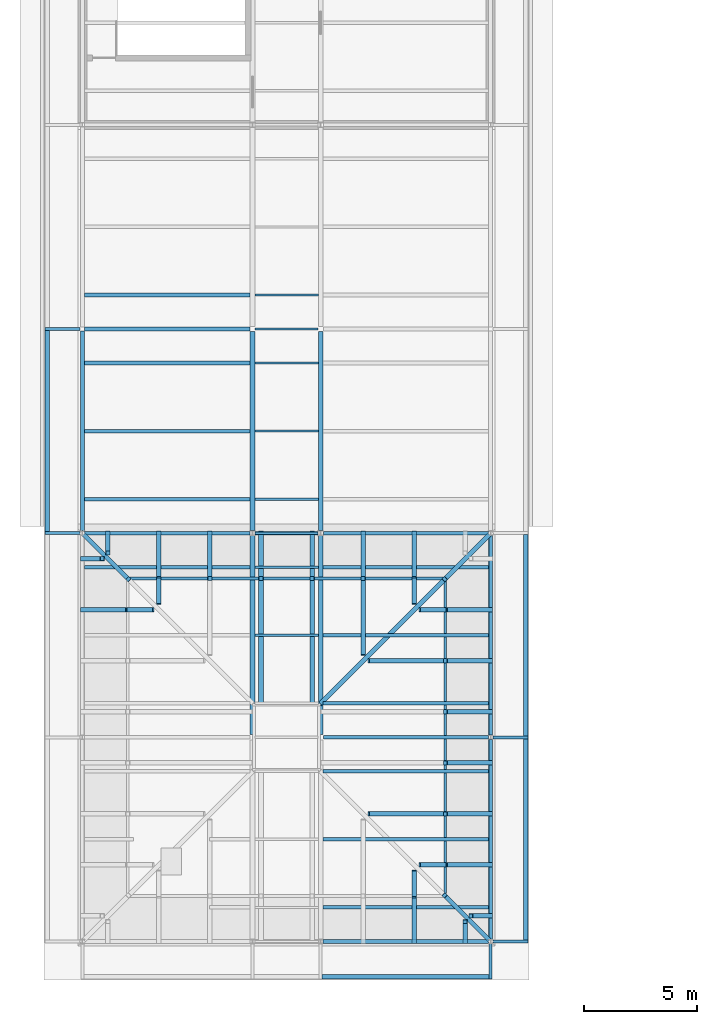
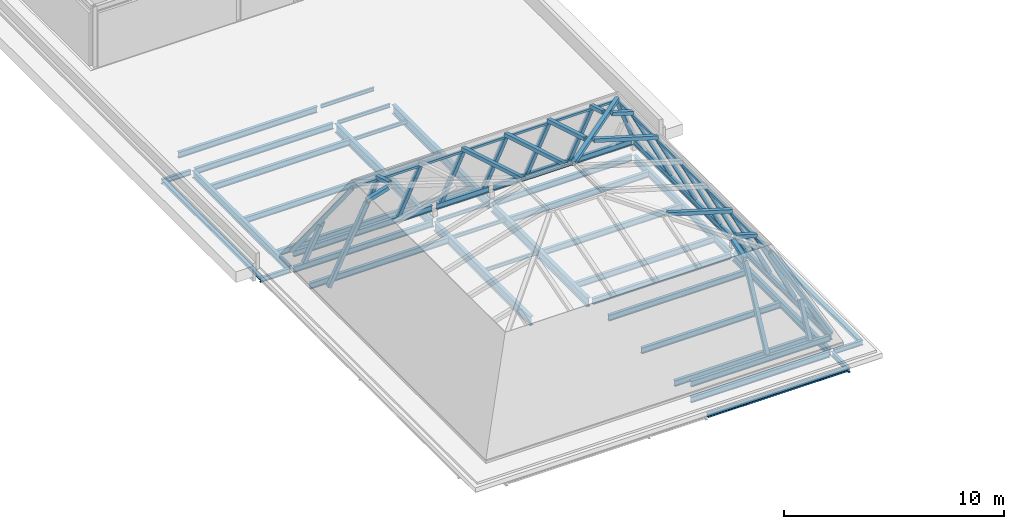
# One storey, part 6 of 29: 46 beams, 35 members.
"""IFC4 building model written with IfcOpenShell, lengths in metres."""

from ifc_helpers import new_model, si_unit, direction, frame, origin, origin_2d, place, context, subcontext, project, spatial, hollow_rectangle, i_section, extrude, material, material_profile, profile_set, type_object, element, save


model = new_model("IFC4")

# Units and contexts
model_context = context("Model", 3, precision=1e-05, world=origin(), true_north=direction((0.0, 1.0)))
body_context = subcontext(model_context, "Body", "Model", "MODEL_VIEW")
ifc_project = project(units=[si_unit("LENGTHUNIT", "METRE"), si_unit("AREAUNIT", "SQUARE_METRE"), si_unit("VOLUMEUNIT", "CUBIC_METRE"), si_unit("PLANEANGLEUNIT", "RADIAN"), si_unit("MASSUNIT", "GRAM", prefix="KILO")], contexts=[model_context])

# Site, building, storey
site_placement = place(None, origin())
site = spatial("IfcSite", under=ifc_project, at=site_placement, CompositionType="ELEMENT")
building_placement = place(site_placement, origin())
building = spatial("IfcBuilding", under=site, at=building_placement, Name="Golden Quay Civic Hall", CompositionType="ELEMENT")
storey_placement = place(building_placement, frame((0.0, 0.0, 27.0)))
storey = spatial("IfcBuildingStorey", under=building, at=storey_placement, Name="L06", CompositionType="ELEMENT", Elevation=27.0)

# Beams
ifc_material_1 = material(Name="Steel S355", Category="steel")
ifc_material_profile_1 = material_profile(ifc_material_1, i_section(OverallWidth=0.199951171875, OverallDepth=0.18994140625, WebThickness=0.006591796875, FlangeThickness=0.010009765625, FilletRadius=0.01806640625, at=origin_2d()), Name="HEA 200")
ifc_profile_set_1 = profile_set([ifc_material_profile_1], Name="Steel S355")
beam_type_1 = type_object("IfcBeamType", Name="Eave edge beam HEA 200", PredefinedType="BEAM", material=ifc_profile_set_1)
for number, where, z_axis, x_axis, name in (
    (1, (-1.550048828125, 9.0673828125, -0.344970703125), (0.0, 1.0, 0.0), (-1.0, 0.0, 0.0), "Eave edge beam HEA 200 L06 3"),
    (2, (19.550048828125, -8.9326171875, -0.344970703125), (0.0, 1.0, 0.0), (-1.0, 0.0, 0.0), "Eave edge beam HEA 200 L06 15"),
    (3, (19.550048828125, 0.0673828125, -0.344970703125), (0.0, 1.0, 0.0), (-1.0, 0.0, 0.0), "Eave edge beam HEA 200 L06 16"),
):
    element("IfcBeam", number, at=place(storey_placement, frame(where, z_axis=z_axis, x_axis=x_axis)), inside=storey, type_object=beam_type_1, Name=name, PredefinedType="BEAM", context=body_context, shape_type="SweptSolid", body=[
        extrude(i_section(OverallWidth=0.199951171875, OverallDepth=0.18994140625, WebThickness=0.006591796875, FlangeThickness=0.010009765625, FilletRadius=0.01806640625, at=origin_2d()), origin(), (0.0, 0.0, 1.0), 8.865234375),
    ])
beam_1_placement = place(storey_placement, frame((10.5673828125, -10.550048828125, -0.344970703125), z_axis=(1.0, 0.0, 0.0), x_axis=(0.0, 1.0, 0.0)))
element("IfcBeam", 4, at=beam_1_placement, inside=storey, type_object=beam_type_1, Name="Eave edge beam HEA 200 L06 28", PredefinedType="BEAM", context=body_context, shape_type="SweptSolid", body=[
    extrude(i_section(OverallWidth=0.199951171875, OverallDepth=0.18994140625, WebThickness=0.006591796875, FlangeThickness=0.010009765625, FilletRadius=0.01806640625, at=origin_2d()), origin(), (0.0, 0.0, 1.0), 7.365234375),
])
ifc_material_2 = material(Name="Steel S355", Category="steel")
ifc_material_profile_2 = material_profile(ifc_material_2, i_section(OverallWidth=0.135009765625, OverallDepth=0.27001953125, WebThickness=0.006591796875, FlangeThickness=0.01025390625, FilletRadius=0.014892578125, at=origin_2d()), Name="IPE 270")
ifc_profile_set_2 = profile_set([ifc_material_profile_2], Name="Steel S355")
beam_type_2 = type_object("IfcBeamType", Name="Eave stub IPE 270", PredefinedType="BEAM", material=ifc_profile_set_2)
for number, where, z_axis, x_axis, name in (
    (5, (-0.10009765625, 9.0, -0.385009765625), (-1.0, 0.0, 0.0), (0.0, -1.0, 0.0), "Eave stub IPE 270 L06 3"),
    (6, (-0.10009765625, 18.0, -0.385009765625), (-1.0, 0.0, 0.0), (0.0, -1.0, 0.0), "Eave stub IPE 270 L06 4"),
    (7, (18.10009765625, -9.0, -0.385009765625), (1.0, 0.0, 0.0), (0.0, 1.0, 0.0), "Eave stub IPE 270 L06 17"),
    (8, (18.10009765625, 0.0, -0.385009765625), (1.0, 0.0, 0.0), (0.0, 1.0, 0.0), "Eave stub IPE 270 L06 18"),
):
    element("IfcBeam", number, at=place(storey_placement, frame(where, z_axis=z_axis, x_axis=x_axis)), inside=storey, type_object=beam_type_2, Name=name, PredefinedType="BEAM", context=body_context, shape_type="SweptSolid", body=[
        extrude(i_section(OverallWidth=0.135009765625, OverallDepth=0.27001953125, WebThickness=0.006591796875, FlangeThickness=0.01025390625, FilletRadius=0.014892578125, at=origin_2d()), origin(), (0.0, 0.0, 1.0), 1.5498046875),
    ])
beam_2_placement = place(storey_placement, frame((18.0, -9.094970703125, -0.385009765625), z_axis=(0.0, -1.0, 0.0), x_axis=(1.0, 0.0, 0.0)))
element("IfcBeam", 9, at=beam_2_placement, inside=storey, type_object=beam_type_2, Name="Eave stub IPE 270 L06 32", PredefinedType="BEAM", context=body_context, shape_type="SweptSolid", body=[
    extrude(i_section(OverallWidth=0.135009765625, OverallDepth=0.27001953125, WebThickness=0.006591796875, FlangeThickness=0.01025390625, FilletRadius=0.014892578125, at=origin_2d()), origin(), (0.0, 0.0, 1.0), 1.554931640625),
])
ifc_material_3 = material(Name="Steel S355", Category="steel")
ifc_material_profile_3 = material_profile(ifc_material_3, i_section(OverallWidth=0.10009765625, OverallDepth=0.199951171875, WebThickness=0.005615234375, FlangeThickness=0.008544921875, FilletRadius=0.011962890625, at=origin_2d()), Name="IPE 200")
ifc_profile_set_3 = profile_set([ifc_material_profile_3], Name="Steel S355")
beam_type_3 = type_object("IfcBeamType", Name="Steel beam IPE 200", PredefinedType="BEAM", material=ifc_profile_set_3)
for number, where, z_axis, x_axis, name in (
    (10, (7.6201171875, 9.0, -0.35009765625), (1.0, 0.0, 0.0), (0.0, 1.0, 0.0), "Beam S9-7.5"),
    (11, (7.6201171875, 18.0, -0.35009765625), (1.0, 0.0, 0.0), (0.0, 1.0, 0.0), "Beam S18-7.5"),
):
    element("IfcBeam", number, at=place(storey_placement, frame(where, z_axis=z_axis, x_axis=x_axis)), inside=storey, type_object=beam_type_3, Name=name, PredefinedType="BEAM", context=body_context, shape_type="SweptSolid", body=[
        extrude(i_section(OverallWidth=0.10009765625, OverallDepth=0.199951171875, WebThickness=0.005615234375, FlangeThickness=0.008544921875, FilletRadius=0.011962890625, at=origin_2d()), origin(), (0.0, 0.0, 1.0), 2.759765625),
    ])
ifc_material_4 = material(Name="Steel S355", Category="steel")
ifc_material_profile_4 = material_profile(ifc_material_4, i_section(OverallWidth=0.159912109375, OverallDepth=0.330078125, WebThickness=0.007568359375, FlangeThickness=0.011474609375, FilletRadius=0.01806640625, at=origin_2d()), Name="IPE 330")
ifc_profile_set_4 = profile_set([ifc_material_profile_4], Name="Steel S355")
beam_type_4 = type_object("IfcBeamType", Name="Steel beam IPE 330", PredefinedType="BEAM", material=ifc_profile_set_4)
beam_3_placement = place(storey_placement, frame((10.60009765625, -9.0, -0.4150390625), z_axis=(1.0, 0.0, 0.0), x_axis=(0.0, 1.0, 0.0)))
element("IfcBeam", 12, at=beam_3_placement, inside=storey, type_object=beam_type_4, Name="Beam S-9-10.5", PredefinedType="BEAM", context=body_context, shape_type="SweptSolid", body=[
    extrude(i_section(OverallWidth=0.159912109375, OverallDepth=0.330078125, WebThickness=0.007568359375, FlangeThickness=0.011474609375, FilletRadius=0.01806640625, at=origin_2d()), origin(), (0.0, 0.0, 1.0), 7.2998046875),
])
for number, where, z_axis, x_axis, name in (
    (13, (10.6201171875, 0.0, -0.4150390625), (1.0, 0.0, 0.0), (0.0, 1.0, 0.0), "Beam S0-10.5"),
    (14, (0.10009765625, 9.0, -0.4150390625), (1.0, 0.0, 0.0), (0.0, 1.0, 0.0), "Beam S9-0"),
    (15, (10.6201171875, 9.0, -0.4150390625), (1.0, 0.0, 0.0), (0.0, 1.0, 0.0), "Beam S9-10.5"),
    (16, (0.10009765625, 18.0, -0.4150390625), (1.0, 0.0, 0.0), (0.0, 1.0, 0.0), "Beam S18-0"),
):
    element("IfcBeam", number, at=place(storey_placement, frame(where, z_axis=z_axis, x_axis=x_axis)), inside=storey, type_object=beam_type_4, Name=name, PredefinedType="BEAM", context=body_context, shape_type="SweptSolid", body=[
        extrude(i_section(OverallWidth=0.159912109375, OverallDepth=0.330078125, WebThickness=0.007568359375, FlangeThickness=0.011474609375, FilletRadius=0.01806640625, at=origin_2d()), origin(), (0.0, 0.0, 1.0), 7.27978515625),
    ])
ifc_material_5 = material(Name="Steel S355", Category="steel")
ifc_material_profile_5 = material_profile(ifc_material_5, i_section(OverallWidth=0.179931640625, OverallDepth=0.39990234375, WebThickness=0.008544921875, FlangeThickness=0.013427734375, FilletRadius=0.02099609375, at=origin_2d()), Name="IPE 400")
ifc_profile_set_5 = profile_set([ifc_material_profile_5], Name="Steel S355")
beam_type_5 = type_object("IfcBeamType", Name="Steel beam IPE 400", PredefinedType="BEAM", material=ifc_profile_set_5)
for number, where, z_axis, x_axis, name in (
    (17, (0.0, 9.094970703125, -0.449951171875), (0.0, 1.0, 0.0), (-1.0, 0.0, 0.0), "Beam L0-9"),
    (18, (18.0, -8.905029296875, -0.449951171875), (0.0, 1.0, 0.0), (-1.0, 0.0, 0.0), "Beam L18--9"),
    (19, (18.0, 0.094970703125, -0.449951171875), (0.0, 1.0, 0.0), (-1.0, 0.0, 0.0), "Beam L18-0"),
):
    element("IfcBeam", number, at=place(storey_placement, frame(where, z_axis=z_axis, x_axis=x_axis)), inside=storey, type_object=beam_type_5, Name=name, PredefinedType="BEAM", context=body_context, shape_type="SweptSolid", body=[
        extrude(i_section(OverallWidth=0.179931640625, OverallDepth=0.39990234375, WebThickness=0.008544921875, FlangeThickness=0.013427734375, FilletRadius=0.02099609375, at=origin_2d()), origin(), (0.0, 0.0, 1.0), 8.81005859375),
    ])
ifc_material_6 = material(Name="Steel S355", Category="steel")
ifc_material_profile_6 = material_profile(ifc_material_6, i_section(OverallWidth=0.199951171875, OverallDepth=0.5, WebThickness=0.01025390625, FlangeThickness=0.01611328125, FilletRadius=0.02099609375, at=origin_2d()), Name="IPE 500")
ifc_profile_set_6 = profile_set([ifc_material_profile_6], Name="Steel S355")
beam_type_6 = type_object("IfcBeamType", Name="Steel beam IPE 500", PredefinedType="BEAM", material=ifc_profile_set_6)
for number, where, z_axis, x_axis, name in (
    (20, (7.5, 0.114990234375, -0.5), (0.0, 1.0, 0.0), (-1.0, 0.0, 0.0), "Beam L7.5-0"),
    (21, (7.5, 9.114990234375, -0.5), (0.0, 1.0, 0.0), (-1.0, 0.0, 0.0), "Beam L7.5-9"),
    (22, (10.5, 0.114990234375, -0.5), (0.0, 1.0, 0.0), (-1.0, 0.0, 0.0), "Beam L10.5-0"),
    (23, (10.5, 9.114990234375, -0.5), (0.0, 1.0, 0.0), (-1.0, 0.0, 0.0), "Beam L10.5-9"),
):
    element("IfcBeam", number, at=place(storey_placement, frame(where, z_axis=z_axis, x_axis=x_axis)), inside=storey, type_object=beam_type_6, Name=name, PredefinedType="BEAM", context=body_context, shape_type="SweptSolid", body=[
        extrude(i_section(OverallWidth=0.199951171875, OverallDepth=0.5, WebThickness=0.01025390625, FlangeThickness=0.01611328125, FilletRadius=0.02099609375, at=origin_2d()), origin(), (0.0, 0.0, 1.0), 8.77001953125),
    ])

# Members
ifc_material_7 = material(Name="Steel S355", Category="steel")
ifc_material_profile_7 = material_profile(ifc_material_7, hollow_rectangle(XDim=0.199951171875, YDim=0.199951171875, WallThickness=0.010009765625, at=origin_2d()), Name="SHS 200x200x10")
ifc_profile_set_7 = profile_set([ifc_material_profile_7], Name="Steel S355")
member_type_1 = type_object("IfcMemberType", Name="Steel jack rafter SHS 200x200x10", PredefinedType="RAFTER", material=ifc_profile_set_7)
member_1_placement = place(storey_placement, frame((14.625, -9.0, 0.6748046875), z_axis=(0.0, 0.4472135955, 0.894427191), x_axis=(-1.0, 0.0, 0.0)))
element("IfcMember", 24, at=member_1_placement, inside=storey, type_object=member_type_1, Name="Jack rafter WO-S south 7", PredefinedType="RAFTER", context=body_context, shape_type="SweptSolid", body=[
    extrude(hollow_rectangle(XDim=0.199951171875, YDim=0.199951171875, WallThickness=0.010009765625, at=origin_2d()), origin(), (0.0, 0.0, 1.0), 4.47216796875),
])
member_2_placement = place(storey_placement, frame((14.625, -7.0, 4.7939453125), z_axis=(0.0, 0.957849166577, 0.287271603344), x_axis=(-1.0, 0.0, 0.0)))
element("IfcMember", 25, at=member_2_placement, inside=storey, type_object=member_type_1, Name="Jack rafter WO-S south 7 upper", PredefinedType="RAFTER", context=body_context, shape_type="SweptSolid", body=[
    extrude(hollow_rectangle(XDim=0.199951171875, YDim=0.199951171875, WallThickness=0.010009765625, at=origin_2d()), origin(), (0.0, 0.0, 1.0), 1.174560546875),
])
for number, where, z_axis, x_axis, name in (
    (26, (16.875, -9.0, 0.6748046875), (0.0, 0.4472135955, 0.894427191), (-1.0, 0.0, 0.0), "Jack rafter WO-S south 8"),
    (27, (1.125, 9.0, 0.6748046875), (0.0, -0.4472135955, 0.894427191), (1.0, 0.0, 0.0), "Jack rafter WO-S north 1"),
):
    element("IfcMember", number, at=place(storey_placement, frame(where, z_axis=z_axis, x_axis=x_axis)), inside=storey, type_object=member_type_1, Name=name, PredefinedType="RAFTER", context=body_context, shape_type="SweptSolid", body=[
        extrude(hollow_rectangle(XDim=0.199951171875, YDim=0.199951171875, WallThickness=0.010009765625, at=origin_2d()), origin(), (0.0, 0.0, 1.0), 1.95654296875),
    ])
member_3_placement = place(storey_placement, frame((3.375, 9.0, 0.6748046875), z_axis=(0.0, -0.4472135955, 0.894427191), x_axis=(1.0, 0.0, 0.0)))
element("IfcMember", 28, at=member_3_placement, inside=storey, type_object=member_type_1, Name="Jack rafter WO-S north 2", PredefinedType="RAFTER", context=body_context, shape_type="SweptSolid", body=[
    extrude(hollow_rectangle(XDim=0.199951171875, YDim=0.199951171875, WallThickness=0.010009765625, at=origin_2d()), origin(), (0.0, 0.0, 1.0), 4.47216796875),
])
member_4_placement = place(storey_placement, frame((3.375, 7.0, 4.7939453125), z_axis=(0.0, -0.957849166577, 0.287271603344), x_axis=(1.0, 0.0, 0.0)))
element("IfcMember", 29, at=member_4_placement, inside=storey, type_object=member_type_1, Name="Jack rafter WO-S north 2 upper", PredefinedType="RAFTER", context=body_context, shape_type="SweptSolid", body=[
    extrude(hollow_rectangle(XDim=0.199951171875, YDim=0.199951171875, WallThickness=0.010009765625, at=origin_2d()), origin(), (0.0, 0.0, 1.0), 1.174560546875),
])
for number, where, z_axis, x_axis, name in (
    (30, (5.625, 9.0, 0.6748046875), (0.0, -0.4472135955, 0.894427191), (1.0, 0.0, 0.0), "Jack rafter WO-S north 3"),
    (31, (7.875, 9.0, 0.6748046875), (0.0, -0.4472135955, 0.894427191), (1.0, 0.0, 0.0), "Jack rafter WO-S north 4"),
):
    element("IfcMember", number, at=place(storey_placement, frame(where, z_axis=z_axis, x_axis=x_axis)), inside=storey, type_object=member_type_1, Name=name, PredefinedType="RAFTER", context=body_context, shape_type="SweptSolid", body=[
        extrude(hollow_rectangle(XDim=0.199951171875, YDim=0.199951171875, WallThickness=0.010009765625, at=origin_2d()), origin(), (0.0, 0.0, 1.0), 4.47216796875),
    ])
member_5_placement = place(storey_placement, frame((7.875, 7.0, 4.7939453125), z_axis=(0.0, -0.957830965904, 0.287332282829), x_axis=(1.0, 0.0, 0.0)))
element("IfcMember", 32, at=member_5_placement, inside=storey, type_object=member_type_1, Name="Jack rafter WO-S north 4 upper", PredefinedType="RAFTER", context=body_context, shape_type="SweptSolid", body=[
    extrude(hollow_rectangle(XDim=0.199951171875, YDim=0.199951171875, WallThickness=0.010009765625, at=origin_2d()), origin(), (0.0, 0.0, 1.0), 5.7421875),
])
member_6_placement = place(storey_placement, frame((10.125, 9.0, 0.6748046875), z_axis=(0.0, -0.4472135955, 0.894427191), x_axis=(1.0, 0.0, 0.0)))
element("IfcMember", 33, at=member_6_placement, inside=storey, type_object=member_type_1, Name="Jack rafter WO-S north 5", PredefinedType="RAFTER", context=body_context, shape_type="SweptSolid", body=[
    extrude(hollow_rectangle(XDim=0.199951171875, YDim=0.199951171875, WallThickness=0.010009765625, at=origin_2d()), origin(), (0.0, 0.0, 1.0), 4.47216796875),
])
member_7_placement = place(storey_placement, frame((10.125, 7.0, 4.7939453125), z_axis=(0.0, -0.957830965904, 0.287332282829), x_axis=(1.0, 0.0, 0.0)))
element("IfcMember", 34, at=member_7_placement, inside=storey, type_object=member_type_1, Name="Jack rafter WO-S north 5 upper", PredefinedType="RAFTER", context=body_context, shape_type="SweptSolid", body=[
    extrude(hollow_rectangle(XDim=0.199951171875, YDim=0.199951171875, WallThickness=0.010009765625, at=origin_2d()), origin(), (0.0, 0.0, 1.0), 5.7421875),
])
member_8_placement = place(storey_placement, frame((12.375, 9.0, 0.6748046875), z_axis=(0.0, -0.4472135955, 0.894427191), x_axis=(1.0, 0.0, 0.0)))
element("IfcMember", 35, at=member_8_placement, inside=storey, type_object=member_type_1, Name="Jack rafter WO-S north 6", PredefinedType="RAFTER", context=body_context, shape_type="SweptSolid", body=[
    extrude(hollow_rectangle(XDim=0.199951171875, YDim=0.199951171875, WallThickness=0.010009765625, at=origin_2d()), origin(), (0.0, 0.0, 1.0), 4.47216796875),
])
member_9_placement = place(storey_placement, frame((12.375, 7.0, 4.7939453125), z_axis=(0.0, -0.957830099126, 0.287335172242), x_axis=(1.0, 0.0, 0.0)))
element("IfcMember", 36, at=member_9_placement, inside=storey, type_object=member_type_1, Name="Jack rafter WO-S north 6 upper", PredefinedType="RAFTER", context=body_context, shape_type="SweptSolid", body=[
    extrude(hollow_rectangle(XDim=0.199951171875, YDim=0.199951171875, WallThickness=0.010009765625, at=origin_2d()), origin(), (0.0, 0.0, 1.0), 3.523681640625),
])
member_10_placement = place(storey_placement, frame((14.625, 9.0, 0.6748046875), z_axis=(0.0, -0.4472135955, 0.894427191), x_axis=(1.0, 0.0, 0.0)))
element("IfcMember", 37, at=member_10_placement, inside=storey, type_object=member_type_1, Name="Jack rafter WO-S north 7", PredefinedType="RAFTER", context=body_context, shape_type="SweptSolid", body=[
    extrude(hollow_rectangle(XDim=0.199951171875, YDim=0.199951171875, WallThickness=0.010009765625, at=origin_2d()), origin(), (0.0, 0.0, 1.0), 4.47216796875),
])
member_11_placement = place(storey_placement, frame((14.625, 7.0, 4.7939453125), z_axis=(0.0, -0.957849166577, 0.287271603344), x_axis=(1.0, 0.0, 0.0)))
element("IfcMember", 38, at=member_11_placement, inside=storey, type_object=member_type_1, Name="Jack rafter WO-S north 7 upper", PredefinedType="RAFTER", context=body_context, shape_type="SweptSolid", body=[
    extrude(hollow_rectangle(XDim=0.199951171875, YDim=0.199951171875, WallThickness=0.010009765625, at=origin_2d()), origin(), (0.0, 0.0, 1.0), 1.174560546875),
])
member_12_placement = place(storey_placement, frame((0.0, 5.625, 0.6748046875), z_axis=(0.4472135955, 0.0, 0.894427191), x_axis=(0.0, 1.0, 0.0)))
element("IfcMember", 39, at=member_12_placement, inside=storey, type_object=member_type_1, Name="Jack rafter WO-S west 7", PredefinedType="RAFTER", context=body_context, shape_type="SweptSolid", body=[
    extrude(hollow_rectangle(XDim=0.199951171875, YDim=0.199951171875, WallThickness=0.010009765625, at=origin_2d()), origin(), (0.0, 0.0, 1.0), 4.47216796875),
])
member_13_placement = place(storey_placement, frame((2.0, 5.625, 4.7939453125), z_axis=(0.957849166577, 0.0, 0.287271603344), x_axis=(0.0, 1.0, 0.0)))
element("IfcMember", 40, at=member_13_placement, inside=storey, type_object=member_type_1, Name="Jack rafter WO-S west 7 upper", PredefinedType="RAFTER", context=body_context, shape_type="SweptSolid", body=[
    extrude(hollow_rectangle(XDim=0.199951171875, YDim=0.199951171875, WallThickness=0.010009765625, at=origin_2d()), origin(), (0.0, 0.0, 1.0), 1.174560546875),
])
for number, where, z_axis, x_axis, name in (
    (41, (0.0, 7.875, 0.6748046875), (0.4472135955, 0.0, 0.894427191), (0.0, 1.0, 0.0), "Jack rafter WO-S west 8"),
    (42, (18.0, -7.875, 0.6748046875), (-0.4472135955, 0.0, 0.894427191), (0.0, -1.0, 0.0), "Jack rafter WO-S east 1"),
):
    element("IfcMember", number, at=place(storey_placement, frame(where, z_axis=z_axis, x_axis=x_axis)), inside=storey, type_object=member_type_1, Name=name, PredefinedType="RAFTER", context=body_context, shape_type="SweptSolid", body=[
        extrude(hollow_rectangle(XDim=0.199951171875, YDim=0.199951171875, WallThickness=0.010009765625, at=origin_2d()), origin(), (0.0, 0.0, 1.0), 1.95654296875),
    ])
member_14_placement = place(storey_placement, frame((18.0, -5.625, 0.6748046875), z_axis=(-0.4472135955, 0.0, 0.894427191), x_axis=(0.0, -1.0, 0.0)))
element("IfcMember", 43, at=member_14_placement, inside=storey, type_object=member_type_1, Name="Jack rafter WO-S east 2", PredefinedType="RAFTER", context=body_context, shape_type="SweptSolid", body=[
    extrude(hollow_rectangle(XDim=0.199951171875, YDim=0.199951171875, WallThickness=0.010009765625, at=origin_2d()), origin(), (0.0, 0.0, 1.0), 4.47216796875),
])
member_15_placement = place(storey_placement, frame((16.0, -5.625, 4.7939453125), z_axis=(-0.957849166577, 0.0, 0.287271603344), x_axis=(0.0, -1.0, 0.0)))
element("IfcMember", 44, at=member_15_placement, inside=storey, type_object=member_type_1, Name="Jack rafter WO-S east 2 upper", PredefinedType="RAFTER", context=body_context, shape_type="SweptSolid", body=[
    extrude(hollow_rectangle(XDim=0.199951171875, YDim=0.199951171875, WallThickness=0.010009765625, at=origin_2d()), origin(), (0.0, 0.0, 1.0), 1.174560546875),
])
member_16_placement = place(storey_placement, frame((18.0, -3.375, 0.6748046875), z_axis=(-0.4472135955, 0.0, 0.894427191), x_axis=(0.0, -1.0, 0.0)))
element("IfcMember", 45, at=member_16_placement, inside=storey, type_object=member_type_1, Name="Jack rafter WO-S east 3", PredefinedType="RAFTER", context=body_context, shape_type="SweptSolid", body=[
    extrude(hollow_rectangle(XDim=0.199951171875, YDim=0.199951171875, WallThickness=0.010009765625, at=origin_2d()), origin(), (0.0, 0.0, 1.0), 4.47216796875),
])
member_17_placement = place(storey_placement, frame((16.0, -3.375, 4.7939453125), z_axis=(-0.957830099126, 0.0, 0.287335172242), x_axis=(0.0, -1.0, 0.0)))
element("IfcMember", 46, at=member_17_placement, inside=storey, type_object=member_type_1, Name="Jack rafter WO-S east 3 upper", PredefinedType="RAFTER", context=body_context, shape_type="SweptSolid", body=[
    extrude(hollow_rectangle(XDim=0.199951171875, YDim=0.199951171875, WallThickness=0.010009765625, at=origin_2d()), origin(), (0.0, 0.0, 1.0), 3.523681640625),
])
for number, where, z_axis, x_axis, name in (
    (47, (18.0, -1.125, 0.6748046875), (-0.4472135955, 0.0, 0.894427191), (0.0, -1.0, 0.0), "Jack rafter WO-S east 4"),
    (48, (18.0, 1.125, 0.6748046875), (-0.4472135955, 0.0, 0.894427191), (0.0, -1.0, 0.0), "Jack rafter WO-S east 5"),
    (49, (18.0, 3.375, 0.6748046875), (-0.4472135955, 0.0, 0.894427191), (0.0, -1.0, 0.0), "Jack rafter WO-S east 6"),
):
    element("IfcMember", number, at=place(storey_placement, frame(where, z_axis=z_axis, x_axis=x_axis)), inside=storey, type_object=member_type_1, Name=name, PredefinedType="RAFTER", context=body_context, shape_type="SweptSolid", body=[
        extrude(hollow_rectangle(XDim=0.199951171875, YDim=0.199951171875, WallThickness=0.010009765625, at=origin_2d()), origin(), (0.0, 0.0, 1.0), 4.47216796875),
    ])
member_18_placement = place(storey_placement, frame((16.0, 3.375, 4.7939453125), z_axis=(-0.957830099126, 0.0, 0.287335172242), x_axis=(0.0, -1.0, 0.0)))
element("IfcMember", 50, at=member_18_placement, inside=storey, type_object=member_type_1, Name="Jack rafter WO-S east 6 upper", PredefinedType="RAFTER", context=body_context, shape_type="SweptSolid", body=[
    extrude(hollow_rectangle(XDim=0.199951171875, YDim=0.199951171875, WallThickness=0.010009765625, at=origin_2d()), origin(), (0.0, 0.0, 1.0), 3.523681640625),
])
member_19_placement = place(storey_placement, frame((18.0, 5.625, 0.6748046875), z_axis=(-0.4472135955, 0.0, 0.894427191), x_axis=(0.0, -1.0, 0.0)))
element("IfcMember", 51, at=member_19_placement, inside=storey, type_object=member_type_1, Name="Jack rafter WO-S east 7", PredefinedType="RAFTER", context=body_context, shape_type="SweptSolid", body=[
    extrude(hollow_rectangle(XDim=0.199951171875, YDim=0.199951171875, WallThickness=0.010009765625, at=origin_2d()), origin(), (0.0, 0.0, 1.0), 4.47216796875),
])
member_20_placement = place(storey_placement, frame((16.0, 5.625, 4.7939453125), z_axis=(-0.957849166577, 0.0, 0.287271603344), x_axis=(0.0, -1.0, 0.0)))
element("IfcMember", 52, at=member_20_placement, inside=storey, type_object=member_type_1, Name="Jack rafter WO-S east 7 upper", PredefinedType="RAFTER", context=body_context, shape_type="SweptSolid", body=[
    extrude(hollow_rectangle(XDim=0.199951171875, YDim=0.199951171875, WallThickness=0.010009765625, at=origin_2d()), origin(), (0.0, 0.0, 1.0), 1.174560546875),
])

# Beams
ifc_material_8 = material(Name="Steel S355", Category="steel")
ifc_material_profile_8 = material_profile(ifc_material_8, i_section(OverallWidth=0.10009765625, OverallDepth=0.199951171875, WebThickness=0.005615234375, FlangeThickness=0.008544921875, FilletRadius=0.011962890625, at=origin_2d()), Name="IPE 200")
ifc_profile_set_8 = profile_set([ifc_material_profile_8], Name="Steel S355")
beam_type_7 = type_object("IfcBeamType", Name="Steel joist IPE 200", PredefinedType="JOIST", material=ifc_profile_set_8)
for number, where, z_axis, x_axis, name in (
    (53, (7.60009765625, 4.5, -0.35009765625), (1.0, 0.0, 0.0), (0.0, 1.0, 0.0), "Joist J4.5-7.5"),
    (54, (7.60009765625, 7.5, -0.35009765625), (1.0, 0.0, 0.0), (0.0, 1.0, 0.0), "Joist J7.5-7.5"),
    (55, (7.60009765625, 10.5, -0.35009765625), (1.0, 0.0, 0.0), (0.0, 1.0, 0.0), "Joist J10.5-7.5"),
    (56, (7.60009765625, 13.5, -0.35009765625), (1.0, 0.0, 0.0), (0.0, 1.0, 0.0), "Joist J13.5-7.5"),
    (57, (7.60009765625, 16.5, -0.35009765625), (1.0, 0.0, 0.0), (0.0, 1.0, 0.0), "Joist J16.5-7.5"),
    (58, (7.60009765625, 19.5, -0.35009765625), (1.0, 0.0, 0.0), (0.0, 1.0, 0.0), "Joist J19.5-7.5"),
):
    element("IfcBeam", number, at=place(storey_placement, frame(where, z_axis=z_axis, x_axis=x_axis)), inside=storey, type_object=beam_type_7, Name=name, PredefinedType="JOIST", context=body_context, shape_type="SweptSolid", body=[
        extrude(i_section(OverallWidth=0.10009765625, OverallDepth=0.199951171875, WebThickness=0.005615234375, FlangeThickness=0.008544921875, FilletRadius=0.011962890625, at=origin_2d()), origin(), (0.0, 0.0, 1.0), 2.7998046875),
    ])
ifc_material_9 = material(Name="Steel S355", Category="steel")
ifc_material_profile_9 = material_profile(ifc_material_9, i_section(OverallWidth=0.159912109375, OverallDepth=0.330078125, WebThickness=0.007568359375, FlangeThickness=0.011474609375, FilletRadius=0.01806640625, at=origin_2d()), Name="IPE 330")
ifc_profile_set_9 = profile_set([ifc_material_profile_9], Name="Steel S355")
beam_type_8 = type_object("IfcBeamType", Name="Steel joist IPE 330", PredefinedType="JOIST", material=ifc_profile_set_9)
for number, where, z_axis, x_axis, name in (
    (59, (10.60009765625, -7.5, -0.4150390625), (1.0, 0.0, 0.0), (0.0, 1.0, 0.0), "Joist J-7.5-10.5"),
    (60, (10.60009765625, -4.5, -0.4150390625), (1.0, 0.0, 0.0), (0.0, 1.0, 0.0), "Joist J-4.5-10.5"),
    (61, (10.60009765625, -1.5, -0.4150390625), (1.0, 0.0, 0.0), (0.0, 1.0, 0.0), "Joist J-1.5-10.5"),
    (62, (10.60009765625, 1.5, -0.4150390625), (1.0, 0.0, 0.0), (0.0, 1.0, 0.0), "Joist J1.5-10.5"),
    (63, (10.60009765625, 4.5, -0.4150390625), (1.0, 0.0, 0.0), (0.0, 1.0, 0.0), "Joist J4.5-10.5"),
    (64, (0.090087890625, 7.5, -0.4150390625), (1.0, 0.0, 0.0), (0.0, 1.0, 0.0), "Joist J7.5-0"),
    (65, (10.60009765625, 7.5, -0.4150390625), (1.0, 0.0, 0.0), (0.0, 1.0, 0.0), "Joist J7.5-10.5"),
    (66, (0.090087890625, 10.5, -0.4150390625), (1.0, 0.0, 0.0), (0.0, 1.0, 0.0), "Joist J10.5-0"),
    (67, (0.090087890625, 13.5, -0.4150390625), (1.0, 0.0, 0.0), (0.0, 1.0, 0.0), "Joist J13.5-0"),
    (68, (0.090087890625, 16.5, -0.4150390625), (1.0, 0.0, 0.0), (0.0, 1.0, 0.0), "Joist J16.5-0"),
    (69, (0.090087890625, 19.5, -0.4150390625), (1.0, 0.0, 0.0), (0.0, 1.0, 0.0), "Joist J19.5-0"),
):
    element("IfcBeam", number, at=place(storey_placement, frame(where, z_axis=z_axis, x_axis=x_axis)), inside=storey, type_object=beam_type_8, Name=name, PredefinedType="JOIST", context=body_context, shape_type="SweptSolid", body=[
        extrude(i_section(OverallWidth=0.159912109375, OverallDepth=0.330078125, WebThickness=0.007568359375, FlangeThickness=0.011474609375, FilletRadius=0.01806640625, at=origin_2d()), origin(), (0.0, 0.0, 1.0), 7.309814453125),
    ])

# Members
ifc_material_10 = material(Name="Steel S355", Category="steel")
ifc_material_profile_10 = material_profile(ifc_material_10, hollow_rectangle(XDim=0.199951171875, YDim=0.199951171875, WallThickness=0.010009765625, at=origin_2d()), Name="SHS 200x200x10")
ifc_profile_set_10 = profile_set([ifc_material_profile_10], Name="Steel S355")
member_type_2 = type_object("IfcMemberType", Name="Steel pavilion hip rafter SHS 200x200x10", PredefinedType="RAFTER", material=ifc_profile_set_10)
for number, where, z_axis, x_axis, name in (
    (70, (18.0, -9.0, 0.642578125), (-0.412304184706, 0.412304184706, 0.812410314157), (-0.707106781187, -0.707106781187, 0.0), "Hip rafter WO-S south-east lower"),
    (71, (0.0, 9.0, 0.642578125), (0.412304184706, -0.412304184706, 0.812410314157), (0.707106781187, 0.707106781187, 0.0), "Hip rafter WO-S north-west lower"),
    (72, (18.0, 9.0, 0.642578125), (-0.412304184706, -0.412304184706, 0.812410314157), (0.707106781187, -0.707106781187, 0.0), "Hip rafter WO-S north-east lower"),
):
    element("IfcMember", number, at=place(storey_placement, frame(where, z_axis=z_axis, x_axis=x_axis)), inside=storey, type_object=member_type_2, Name=name, PredefinedType="RAFTER", context=body_context, shape_type="SweptSolid", body=[
        extrude(hollow_rectangle(XDim=0.199951171875, YDim=0.199951171875, WallThickness=0.010009765625, at=origin_2d()), origin(), (0.0, 0.0, 1.0), 4.923583984375),
    ])
member_21_placement = place(storey_placement, frame((15.969970703125, 6.969970703125, 4.7509765625), z_axis=(-0.691716226767, -0.691716226767, 0.207502586137), x_axis=(0.707106781187, -0.707106781187, 0.0)))
element("IfcMember", 73, at=member_21_placement, inside=storey, type_object=member_type_2, Name="Hip rafter WO-S north-east upper", PredefinedType="RAFTER", context=body_context, shape_type="SweptSolid", body=[
    extrude(hollow_rectangle(XDim=0.199951171875, YDim=0.199951171875, WallThickness=0.010009765625, at=origin_2d()), origin(), (0.0, 0.0, 1.0), 7.951171875),
])
ifc_material_11 = material(Name="Steel S355", Category="steel")
ifc_material_profile_11 = material_profile(ifc_material_11, hollow_rectangle(XDim=0.1201171875, YDim=0.1201171875, WallThickness=0.008056640625, at=origin_2d()), Name="SHS 120x120x8")
ifc_profile_set_11 = profile_set([ifc_material_profile_11], Name="Steel S355")
member_type_3 = type_object("IfcMemberType", Name="Steel roof purlin SHS 120x120x8", PredefinedType="PURLIN", material=ifc_profile_set_11)
member_22_placement = place(storey_placement, frame((2.06005859375, 7.0, 4.64990234375), z_axis=(1.0, 0.0, 0.0), x_axis=(0.0, 1.0, 0.0)))
element("IfcMember", 74, at=member_22_placement, inside=storey, type_object=member_type_3, Name="Break purlin WO-S north", PredefinedType="PURLIN", context=body_context, shape_type="SweptSolid", body=[
    extrude(hollow_rectangle(XDim=0.1201171875, YDim=0.1201171875, WallThickness=0.008056640625, at=origin_2d()), origin(), (0.0, 0.0, 1.0), 13.8798828125),
])
member_23_placement = place(storey_placement, frame((16.0, -6.8798828125, 4.64990234375), z_axis=(0.0, 1.0, 0.0), x_axis=(-1.0, 0.0, 0.0)))
element("IfcMember", 75, at=member_23_placement, inside=storey, type_object=member_type_3, Name="Break purlin WO-S east", PredefinedType="PURLIN", context=body_context, shape_type="SweptSolid", body=[
    extrude(hollow_rectangle(XDim=0.1201171875, YDim=0.1201171875, WallThickness=0.008056640625, at=origin_2d()), origin(), (0.0, 0.0, 1.0), 13.759765625),
])

# Beams
ifc_material_12 = material(Name="Steel S355", Category="steel")
ifc_material_profile_12 = material_profile(ifc_material_12, i_section(OverallWidth=0.159912109375, OverallDepth=0.330078125, WebThickness=0.007568359375, FlangeThickness=0.011474609375, FilletRadius=0.01806640625, at=origin_2d()), Name="IPE 330")
ifc_profile_set_12 = profile_set([ifc_material_profile_12], Name="Steel S355")
beam_type_9 = type_object("IfcBeamType", Name="Steel wall plate beam IPE 330", PredefinedType="BEAM", material=ifc_profile_set_12)
beam_4_placement = place(storey_placement, frame((10.60009765625, -9.0, 0.465087890625), z_axis=(1.0, 0.0, 0.0), x_axis=(0.0, 1.0, 0.0)))
element("IfcBeam", 76, at=beam_4_placement, inside=storey, type_object=beam_type_9, Name="Wall plate beam WO-S S3", PredefinedType="BEAM", context=body_context, shape_type="SweptSolid", body=[
    extrude(i_section(OverallWidth=0.159912109375, OverallDepth=0.330078125, WebThickness=0.007568359375, FlangeThickness=0.011474609375, FilletRadius=0.01806640625, at=origin_2d()), origin(), (0.0, 0.0, 1.0), 7.31982421875),
])
beam_5_placement = place(storey_placement, frame((0.080078125, 9.0, 0.465087890625), z_axis=(1.0, 0.0, 0.0), x_axis=(0.0, 1.0, 0.0)))
element("IfcBeam", 77, at=beam_5_placement, inside=storey, type_object=beam_type_9, Name="Wall plate beam WO-S N1", PredefinedType="BEAM", context=body_context, shape_type="SweptSolid", body=[
    extrude(i_section(OverallWidth=0.159912109375, OverallDepth=0.330078125, WebThickness=0.007568359375, FlangeThickness=0.011474609375, FilletRadius=0.01806640625, at=origin_2d()), origin(), (0.0, 0.0, 1.0), 7.2998046875),
])
beam_6_placement = place(storey_placement, frame((7.6201171875, 9.0, 0.465087890625), z_axis=(1.0, 0.0, 0.0), x_axis=(0.0, 1.0, 0.0)))
element("IfcBeam", 78, at=beam_6_placement, inside=storey, type_object=beam_type_9, Name="Wall plate beam WO-S N2", PredefinedType="BEAM", context=body_context, shape_type="SweptSolid", body=[
    extrude(i_section(OverallWidth=0.159912109375, OverallDepth=0.330078125, WebThickness=0.007568359375, FlangeThickness=0.011474609375, FilletRadius=0.01806640625, at=origin_2d()), origin(), (0.0, 0.0, 1.0), 2.759765625),
])
beam_7_placement = place(storey_placement, frame((10.6201171875, 9.0, 0.465087890625), z_axis=(1.0, 0.0, 0.0), x_axis=(0.0, 1.0, 0.0)))
element("IfcBeam", 79, at=beam_7_placement, inside=storey, type_object=beam_type_9, Name="Wall plate beam WO-S N3", PredefinedType="BEAM", context=body_context, shape_type="SweptSolid", body=[
    extrude(i_section(OverallWidth=0.159912109375, OverallDepth=0.330078125, WebThickness=0.007568359375, FlangeThickness=0.011474609375, FilletRadius=0.01806640625, at=origin_2d()), origin(), (0.0, 0.0, 1.0), 7.2998046875),
])
for number, where, z_axis, x_axis, name in (
    (80, (18.0, -9.0, 0.465087890625), (0.0, 1.0, 0.0), (-1.0, 0.0, 0.0), "Wall plate beam WO-S E1"),
    (81, (18.0, 0.094970703125, 0.465087890625), (0.0, 1.0, 0.0), (-1.0, 0.0, 0.0), "Wall plate beam WO-S E2"),
):
    element("IfcBeam", number, at=place(storey_placement, frame(where, z_axis=z_axis, x_axis=x_axis)), inside=storey, type_object=beam_type_9, Name=name, PredefinedType="BEAM", context=body_context, shape_type="SweptSolid", body=[
        extrude(i_section(OverallWidth=0.159912109375, OverallDepth=0.330078125, WebThickness=0.007568359375, FlangeThickness=0.011474609375, FilletRadius=0.01806640625, at=origin_2d()), origin(), (0.0, 0.0, 1.0), 8.905029296875),
    ])

save(model, "model.ifc")
